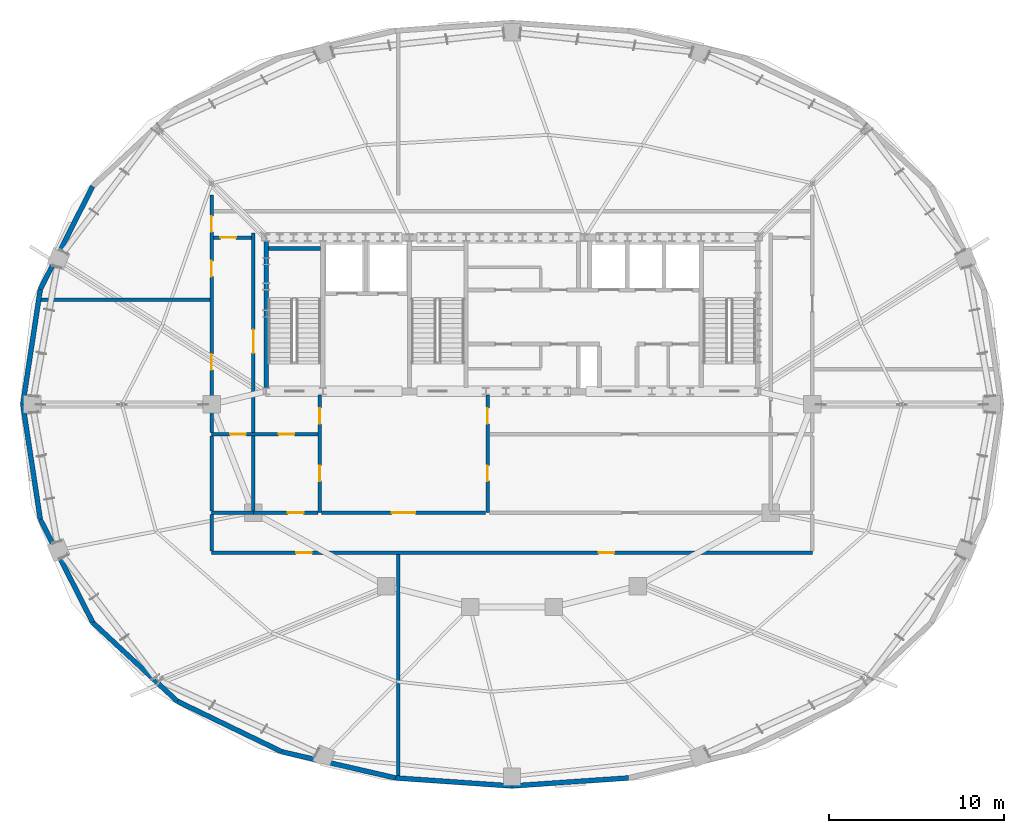
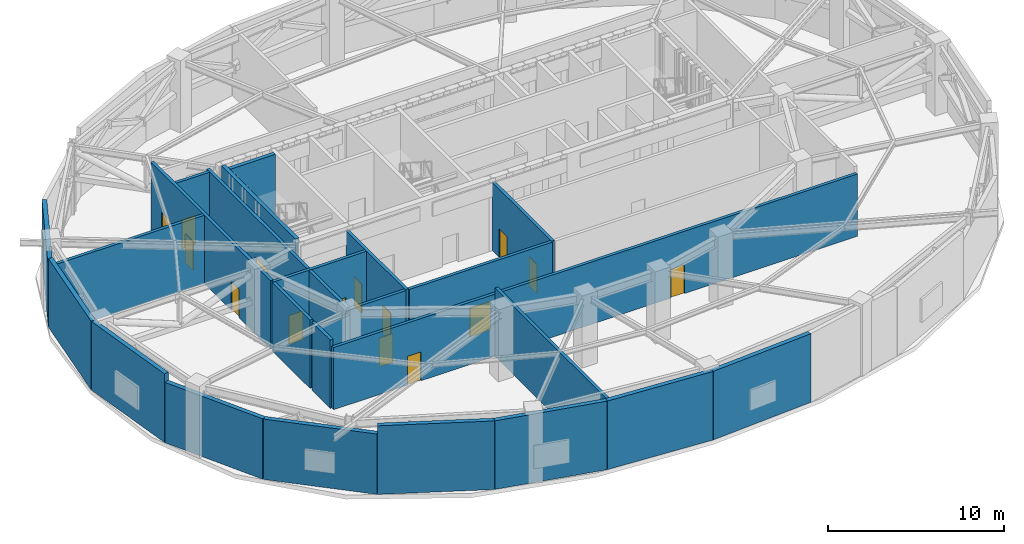
# One storey, part 14 of 20: 26 walls, 15 doors, 15 openings.
"""IFC4 building model written with IfcOpenShell, lengths in metres."""

import ifcopenshell
import ifcopenshell.guid

model = None  # the IFC model being written
_history = None  # IfcOwnerHistory: only IFC2X3 demands one
_inside = {}  # id of a spatial element -> (the spatial element, [elements in it])
_under = {}  # id of a project, library or spatial element -> (it, [spatial elements below it])
_declared = {}  # id of a project -> (the project, [libraries it declares])
_typed = {}  # id of a type object -> (the type object, [elements of that type])
_made_of = {}  # id of a material, layer set ... -> (it, [elements and type objects made of it])


def new_model(schema):
    """Start an empty IFC model of exactly this schema.

    Asked for "IFC4X3", IfcOpenShell would pick the latest addendum, in which some entities
    have other attributes; the version numbers below select the first issue.
    IFC2X3 requires an IfcOwnerHistory on every rooted entity: one is made here for all.
    """
    global model, _history
    if schema == "IFC4X3":
        model = ifcopenshell.file(schema_version=(4, 3, 0, 0))
    else:
        model = ifcopenshell.file(schema=schema)
    _inside.clear()
    _under.clear()
    _declared.clear()
    _typed.clear()
    _made_of.clear()
    _history = None
    if model.schema == "IFC2X3":
        org = make("IfcOrganization", Name="unknown")
        user = make(
            "IfcPersonAndOrganization",
            ThePerson=make("IfcPerson", FamilyName="unknown"),
            TheOrganization=org,
        )
        app = make(
            "IfcApplication",
            ApplicationDeveloper=org,
            Version="unknown",
            ApplicationFullName="unknown",
            ApplicationIdentifier="unknown",
        )
        _history = make(
            "IfcOwnerHistory",
            OwningUser=user,
            OwningApplication=app,
            ChangeAction="ADDED",
            CreationDate=0,
        )
    return model


def make(cls, **values):
    """One entity of the class cls with the attributes given. An attribute that is None is left unset."""
    return model.create_entity(
        cls, **{name: value for name, value in values.items() if value is not None}
    )


def rooted(cls, **values):
    """An entity with a GlobalId (a new one), such as an element, a storey or a relation."""
    return make(cls, GlobalId=ifcopenshell.guid.new(), OwnerHistory=_history, **values)


def si_unit(unit_type, name, prefix=None):
    """IfcSIUnit, for example si_unit("LENGTHUNIT", "METRE", prefix="MILLI")."""
    return make("IfcSIUnit", UnitType=unit_type, Prefix=prefix, Name=name)


def assignment(units):
    """IfcUnitAssignment: the units of a project."""
    return None if units is None else make("IfcUnitAssignment", Units=units)


def point(xyz):
    """IfcCartesianPoint."""
    return None if xyz is None else make("IfcCartesianPoint", Coordinates=xyz)


def direction(xyz):
    """IfcDirection."""
    return None if xyz is None else make("IfcDirection", DirectionRatios=xyz)


def frame(location, z_axis=None, x_axis=None):
    """IfcAxis2Placement3D, a coordinate frame: its origin and axes. An axis left out is left unset."""
    return make(
        "IfcAxis2Placement3D",
        Location=point(location),
        Axis=direction(z_axis),
        RefDirection=direction(x_axis),
    )


def frame_2d(location, x_axis=None):
    """IfcAxis2Placement2D, a coordinate frame in the plane: its origin and x axis."""
    return make(
        "IfcAxis2Placement2D", Location=point(location), RefDirection=direction(x_axis)
    )


def origin():
    """The frame at (0, 0, 0) with its axes left unset."""
    return frame((0.0, 0.0, 0.0))


def place(relative_to, where):
    """IfcLocalPlacement: puts the frame where relative to a parent placement (None: the world)."""
    return make(
        "IfcLocalPlacement", PlacementRelTo=relative_to, RelativePlacement=where
    )


def context(
    kind, dimensions, precision=None, world=None, true_north=None, identifier=None
):
    """IfcGeometricRepresentationContext, for example the 3D "Model" context."""
    return make(
        "IfcGeometricRepresentationContext",
        ContextIdentifier=identifier,
        ContextType=kind,
        CoordinateSpaceDimension=dimensions,
        Precision=precision,
        WorldCoordinateSystem=world,
        TrueNorth=true_north,
    )


def subcontext(parent, identifier, kind, view, scale=None):
    """IfcGeometricRepresentationSubContext, for example "Body" below "Model"."""
    return make(
        "IfcGeometricRepresentationSubContext",
        ContextIdentifier=identifier,
        ContextType=kind,
        ParentContext=parent,
        TargetScale=scale,
        TargetView=view,
    )


def project(units=None, contexts=None):
    """IfcProject with its units and contexts."""
    return rooted(
        "IfcProject",
        Name="project",
        RepresentationContexts=contexts,
        UnitsInContext=assignment(units),
    )


def spatial(cls, under=None, at=None, **own):
    """A site, building, storey or space (cls), placed at a placement, below another one or the project."""
    s = rooted(cls, ObjectPlacement=at, **own)
    if under is not None:
        _under.setdefault(under.id(), (under, []))[1].append(s)
    return s


def profile(cls, at=None, kind="AREA", **sizes):
    """A parametric profile (cls). Its sizes go by their IFC names, for example OverallWidth=200.0."""
    return make(cls, ProfileType=kind, Position=at, **sizes)


def rectangle(**sizes):
    """IfcRectangleProfileDef."""
    return profile("IfcRectangleProfileDef", **sizes)


def extrude(swept, where, along, depth):
    """IfcExtrudedAreaSolid: the profile swept, set in the frame where, extruded along a direction by depth."""
    return make(
        "IfcExtrudedAreaSolid",
        SweptArea=swept,
        Position=where,
        ExtrudedDirection=direction(along),
        Depth=depth,
    )


def shape(context_of_items, identifier, shape_type, items):
    """IfcShapeRepresentation: the items that make up one representation, for example the "Body"."""
    return make(
        "IfcShapeRepresentation",
        ContextOfItems=context_of_items,
        RepresentationIdentifier=identifier,
        RepresentationType=shape_type,
        Items=items,
    )


def material(Name=None, Category=None):
    """IfcMaterial."""
    return make("IfcMaterial", Name=Name, Category=Category)


def layer(
    of_material, thickness, ventilated=None, Name=None, Category=None, Priority=None
):
    """IfcMaterialLayer: one layer of a wall or slab, of a material (None: an air gap)."""
    return make(
        "IfcMaterialLayer",
        Material=of_material,
        LayerThickness=thickness,
        IsVentilated=ventilated,
        Name=Name,
        Category=Category,
        Priority=Priority,
    )


def layer_set(layers, Name=None):
    """IfcMaterialLayerSet."""
    return make("IfcMaterialLayerSet", MaterialLayers=layers, LayerSetName=Name)


def made_of(thing, what):
    """Note that an element or type object is made of a material, layer set ...; save() writes the relation."""
    if what is not None:
        _made_of.setdefault(what.id(), (what, []))[1].append(thing)
    return thing


def type_object(cls, material=None, **own):
    """A type object (cls), such as IfcWallType, which elements share."""
    return made_of(rooted(cls, **own), material)


def element(
    cls,
    number,
    at=None,
    inside=None,
    cuts=None,
    type_object=None,
    material=None,
    context=None,
    identifier="Body",
    shape_type=None,
    held_by="IfcProductDefinitionShape",
    body=None,
    shapes=None,
    **own,
):
    """One element of the class cls, such as IfcWall. Its Tag is "e" and its number.

    at: its placement. inside: the storey or other place that contains it. cuts: it is an
    opening in that element (IfcRelVoidsElement). A single representation is given by context,
    identifier, shape_type and body (its items); several are given by shapes. held_by: the class
    of the entity that holds the representations. save() writes the other relations.
    """
    e = rooted(cls, Tag="e%d" % number, ObjectPlacement=at, **own)
    if body is not None:
        shapes = [shape(context, identifier, shape_type, body)]
    if shapes is not None:
        e.Representation = make(held_by, Representations=shapes)
    if inside is not None:
        _inside.setdefault(inside.id(), (inside, []))[1].append(e)
    if cuts is not None:
        rooted(
            "IfcRelVoidsElement", RelatingBuildingElement=cuts, RelatedOpeningElement=e
        )
    if type_object is not None:
        _typed.setdefault(type_object.id(), (type_object, []))[1].append(e)
    return made_of(e, material)


def fill(opening, filler):
    """IfcRelFillsElement: the door or window that sits in an opening."""
    return rooted(
        "IfcRelFillsElement",
        RelatingOpeningElement=opening,
        RelatedBuildingElement=filler,
    )


def aggregate(whole, parts):
    """IfcRelAggregates: a whole, such as a stair, and the parts it consists of."""
    return rooted("IfcRelAggregates", RelatingObject=whole, RelatedObjects=parts)


def save(model, path):
    """Write the relations noted so far, then the file.

    IfcRelAggregates (storeys below a building ...), IfcRelContainedInSpatialStructure (elements
    in a storey), IfcRelDefinesByType, IfcRelAssociatesMaterial and IfcRelDeclares: one each for
    every whole, place, type object, material and project.
    """
    for whole, parts in _under.values():
        aggregate(whole, parts)
    for where, things in _inside.values():
        rooted(
            "IfcRelContainedInSpatialStructure",
            RelatedElements=things,
            RelatingStructure=where,
        )
    for kind, things in _typed.values():
        rooted("IfcRelDefinesByType", RelatedObjects=things, RelatingType=kind)
    for what, things in _made_of.values():
        rooted("IfcRelAssociatesMaterial", RelatedObjects=things, RelatingMaterial=what)
    for by, libraries in _declared.values():
        rooted("IfcRelDeclares", RelatingContext=by, RelatedDefinitions=libraries)
    model.write(path)


model = new_model("IFC4")

# Units and contexts
model_context = context("Model", 3, precision=1e-05, world=origin(), true_north=direction((0.0, 1.0)))
body_context = subcontext(model_context, "Body", "Model", "MODEL_VIEW")
ifc_project = project(units=[si_unit("LENGTHUNIT", "METRE"), si_unit("AREAUNIT", "SQUARE_METRE"), si_unit("VOLUMEUNIT", "CUBIC_METRE"), si_unit("PLANEANGLEUNIT", "RADIAN"), si_unit("MASSUNIT", "GRAM", prefix="KILO")], contexts=[model_context])

# Site, building, storey
site_placement = place(None, origin())
site = spatial("IfcSite", under=ifc_project, at=site_placement, CompositionType="ELEMENT")
building_placement = place(site_placement, origin())
building = spatial("IfcBuilding", under=site, at=building_placement, Name="Haldorwick Loom Tower", CompositionType="ELEMENT")
storey_placement = place(building_placement, frame((0.0, 0.0, 222.10009765625)))
storey = spatial("IfcBuildingStorey", under=building, at=storey_placement, Name="L60", CompositionType="ELEMENT", Elevation=222.10009765625)

# Walls
ifc_material_1 = material(Name="Pressed Clay Face Brick and Insulated Masonry Backup Assembly", Category="masonry")
ifc_layer_1 = layer(ifc_material_1, 0.280029296875, Name="Pressed Clay Face Brick and Insulated Masonry Backup Assembly", Category="masonry")
ifc_layer_set_1 = layer_set([ifc_layer_1], Name="Pressed Clay Face Brick and Insulated Masonry Backup Assembly")
wall_type_1 = type_object("IfcWallType", Name="ARC-WL-EXT280", PredefinedType="STANDARD", material=ifc_layer_set_1)
wall_1_placement = place(storey_placement, frame((11.994384765625, 38.4853515625, 0.0), z_axis=(0.0, 0.0, 1.0), x_axis=(-0.453032066879, -0.89149422117, 0.0)))
element("IfcWall", 1, at=wall_1_placement, inside=storey, type_object=wall_type_1, Name="L60 Brick Pier and Spandrel Wall 11", PredefinedType="STANDARD", context=body_context, shape_type="SweptSolid", body=[
    extrude(rectangle(XDim=6.618896484375, YDim=0.280029296875, at=frame_2d((3.3095703125, 0.0))), origin(), (0.0, 0.0, 1.0), 4.19091796875),
])
for number, where, z_axis, x_axis, name in (
    (2, (8.995849609375, 32.584716796875, 0.0), (0.0, 0.0, 1.0), (-0.150467697578, -0.988614926038, 0.0), "L60 Brick Pier and Spandrel Wall 12"),
    (3, (7.99365234375, 26.0, 0.0), (0.0, 0.0, 1.0), (0.150467697578, -0.988614926038, 0.0), "L60 Brick Pier and Spandrel Wall 13"),
):
    element("IfcWall", number, at=place(storey_placement, frame(where, z_axis=z_axis, x_axis=x_axis)), inside=storey, type_object=wall_type_1, Name=name, PredefinedType="STANDARD", context=body_context, shape_type="SweptSolid", body=[
        extrude(rectangle(XDim=6.66064453125, YDim=0.280029296875, at=frame_2d((3.330322265625, 0.0))), origin(), (0.0, 0.0, 1.0), 4.760009765625),
    ])
wall_2_placement = place(storey_placement, frame((8.995849609375, 19.415283203125, 0.0), z_axis=(0.0, 0.0, 1.0), x_axis=(0.453032066879, -0.89149422117, 0.0)))
element("IfcWall", 4, at=wall_2_placement, inside=storey, type_object=wall_type_1, Name="L60 Brick Pier and Spandrel Wall 14", PredefinedType="STANDARD", context=body_context, shape_type="SweptSolid", body=[
    extrude(rectangle(XDim=6.618896484375, YDim=0.280029296875, at=frame_2d((3.3095703125, 0.0))), origin(), (0.0, 0.0, 1.0), 4.19091796875),
])
wall_3_placement = place(storey_placement, frame((11.994384765625, 13.5146484375, 0.0), z_axis=(0.0, 0.0, 1.0), x_axis=(0.731833707499, -0.681483253329, 0.0)))
element("IfcWall", 5, at=wall_3_placement, inside=storey, type_object=wall_type_1, Name="L60 Brick Pier and Spandrel Wall 15", PredefinedType="STANDARD", context=body_context, shape_type="SweptSolid", body=[
    extrude(rectangle(XDim=6.61865234375, YDim=0.280029296875, at=frame_2d((3.309326171875, 0.0))), origin(), (0.0, 0.0, 1.0), 4.19091796875),
])
wall_4_placement = place(storey_placement, frame((16.838134765625, 9.004150390625, 0.0), z_axis=(0.0, 0.0, 1.0), x_axis=(0.900371236029, -0.435122554381, 0.0)))
element("IfcWall", 6, at=wall_4_placement, inside=storey, type_object=wall_type_1, Name="L60 Brick Pier and Spandrel Wall 16", PredefinedType="STANDARD", context=body_context, shape_type="SweptSolid", body=[
    extrude(rectangle(XDim=6.6533203125, YDim=0.280029296875, at=frame_2d((3.32666015625, 0.0))), origin(), (0.0, 0.0, 1.0), 4.760009765625),
])
wall_5_placement = place(storey_placement, frame((22.82861328125, 6.109130859375, 0.0), z_axis=(0.0, 0.0, 1.0), x_axis=(0.974557343474, -0.224138315065, 0.0)))
element("IfcWall", 7, at=wall_5_placement, inside=storey, type_object=wall_type_1, Name="L60 Brick Pier and Spandrel Wall 17", PredefinedType="STANDARD", context=body_context, shape_type="SweptSolid", body=[
    extrude(rectangle(XDim=6.676025390625, YDim=0.280029296875, at=frame_2d((3.337890625, 0.0))), origin(), (0.0, 0.0, 1.0), 4.760009765625),
])
for number, where, z_axis, x_axis, name in (
    (8, (29.334716796875, 4.61279296875, 0.0), (0.0, 0.0, 1.0), (0.99764992135, -0.068517402386, 0.0), "L60 Brick Pier and Spandrel Wall 18"),
    (9, (36.0, 4.155029296875, 0.0), (0.0, 0.0, 1.0), (0.99764992135, 0.068517402386, 0.0), "L60 Brick Pier and Spandrel Wall 19"),
):
    element("IfcWall", number, at=place(storey_placement, frame(where, z_axis=z_axis, x_axis=x_axis)), inside=storey, type_object=wall_type_1, Name=name, PredefinedType="STANDARD", context=body_context, shape_type="SweptSolid", body=[
        extrude(rectangle(XDim=6.680908203125, YDim=0.280029296875, at=frame_2d((3.34033203125, 0.0))), origin(), (0.0, 0.0, 1.0), 4.760009765625),
    ])

# Wall, openings, doors
ifc_material_2 = material(Name="Fire-Rated Type X Gypsum Stud Assembly EI 120")
ifc_layer_2 = layer(ifc_material_2, 0.199951171875, Name="Fire-Rated Type X Gypsum Stud Assembly EI 120")
ifc_layer_set_2 = layer_set([ifc_layer_2], Name="Fire-Rated Type X Gypsum Stud Assembly EI 120")
wall_type_2 = type_object("IfcWallType", Name="ARC-WL-FIRE200", PredefinedType="PARTITIONING", material=ifc_layer_set_2)
wall_6_placement = place(storey_placement, frame((25.0, 19.800048828125, 0.0), z_axis=(0.0, 0.0, 1.0), x_axis=(0.0, 1.0, 0.0)))
wall_6 = element("IfcWall", 10, at=wall_6_placement, inside=storey, type_object=wall_type_2, Name="L60 Interior Partition L60-REF-W", PredefinedType="PARTITIONING", context=body_context, shape_type="SweptSolid", body=[
    extrude(rectangle(XDim=6.7470703125, YDim=0.199951171875, at=frame_2d((3.37353515625, 0.0))), origin(), (0.0, 0.0, 1.0), 4.744873046875),
])
opening_1_placement = place(wall_6_placement, frame((5.085205078125, 0.0, 0.0)))
opening_1 = element("IfcOpeningElement", 11, at=opening_1_placement, cuts=wall_6, Name="Opening D-FD60A", PredefinedType="OPENING", context=body_context, shape_type="SweptSolid", body=[
    extrude(rectangle(XDim=0.89990234375, YDim=2.0, at=frame_2d((0.449951171875, 1.0))), frame((0.0, 0.10986328125, 0.0), z_axis=(0.0, -1.0, 0.0), x_axis=(1.0, 0.0, 0.0)), (0.0, 0.0, 1.0), 0.219970703125),
])
opening_2_placement = place(wall_6_placement, frame((1.799072265625, 0.0, 0.0)))
opening_2 = element("IfcOpeningElement", 12, at=opening_2_placement, cuts=wall_6, Name="Opening D-FD60A", PredefinedType="OPENING", context=body_context, shape_type="SweptSolid", body=[
    extrude(rectangle(XDim=0.89990234375, YDim=2.0, at=frame_2d((0.449951171875, 1.0))), frame((0.0, 0.10986328125, 0.0), z_axis=(0.0, -1.0, 0.0), x_axis=(1.0, 0.0, 0.0)), (0.0, 0.0, 1.0), 0.219970703125),
])
ifc_material_3 = material(Name="Hollow Steel Fire Door Assembly", Category="steel")
door_type_1 = type_object("IfcDoorType", Name="ARC-DR-FD60-90", OperationType="NOTDEFINED", PredefinedType="DOOR", material=ifc_material_3)
door_1_placement = place(opening_1_placement, origin())
door_1 = element("IfcDoor", 13, at=door_1_placement, inside=storey, type_object=door_type_1, Name="L60 West Refuge Vestibule to Area of Refuge Door", OperationType="SINGLE_SWING_RIGHT", OverallHeight=2.0, OverallWidth=0.89990234375, PredefinedType="DOOR", context=body_context, shape_type="SweptSolid", body=[
    extrude(rectangle(XDim=0.89990234375, YDim=2.0, at=frame_2d((0.449951171875, 1.0))), frame((0.0, 0.02490234375, 0.0), z_axis=(0.0, -1.0, 0.0), x_axis=(1.0, 0.0, 0.0)), (0.0, 0.0, 1.0), 0.050048828125),
])
fill(opening_1, door_1)
door_2_placement = place(opening_2_placement, frame((0.89990234375, 0.0, 0.0), z_axis=(0.0, 0.0, 1.0), x_axis=(-1.0, 0.0, 0.0)))
door_2 = element("IfcDoor", 14, at=door_2_placement, inside=storey, type_object=door_type_1, Name="L60 Mechanical Equipment Plant 5 to Area of Refuge Door", OperationType="SINGLE_SWING_RIGHT", OverallHeight=2.0, OverallWidth=0.89990234375, PredefinedType="DOOR", context=body_context, shape_type="SweptSolid", body=[
    extrude(rectangle(XDim=0.89990234375, YDim=2.0, at=frame_2d((0.449951171875, 1.0))), frame((0.0, 0.02490234375, 0.0), z_axis=(0.0, -1.0, 0.0), x_axis=(1.0, 0.0, 0.0)), (0.0, 0.0, 1.0), 0.050048828125),
])
fill(opening_2, door_2)

wall_7_placement = place(storey_placement, frame((34.60009765625, 19.800048828125, 0.0), z_axis=(0.0, 0.0, 1.0), x_axis=(0.0, 1.0, 0.0)))
wall_7 = element("IfcWall", 15, at=wall_7_placement, inside=storey, type_object=wall_type_2, Name="L60 Interior Partition L60-REF-E", PredefinedType="PARTITIONING", context=body_context, shape_type="SweptSolid", body=[
    extrude(rectangle(XDim=6.7470703125, YDim=0.199951171875, at=frame_2d((3.37353515625, 0.0))), origin(), (0.0, 0.0, 1.0), 4.744873046875),
])
opening_3_placement = place(wall_7_placement, frame((5.085205078125, 0.0, 0.0)))
opening_3 = element("IfcOpeningElement", 16, at=opening_3_placement, cuts=wall_7, Name="Opening D-FD60A", PredefinedType="OPENING", context=body_context, shape_type="SweptSolid", body=[
    extrude(rectangle(XDim=0.89990234375, YDim=2.0, at=frame_2d((0.449951171875, 1.0))), frame((0.0, 0.10986328125, 0.0), z_axis=(0.0, -1.0, 0.0), x_axis=(1.0, 0.0, 0.0)), (0.0, 0.0, 1.0), 0.219970703125),
])
opening_4_placement = place(wall_7_placement, frame((1.799072265625, 0.0, 0.0)))
opening_4 = element("IfcOpeningElement", 17, at=opening_4_placement, cuts=wall_7, Name="Opening D-FD60A", PredefinedType="OPENING", context=body_context, shape_type="SweptSolid", body=[
    extrude(rectangle(XDim=0.89990234375, YDim=2.0, at=frame_2d((0.449951171875, 1.0))), frame((0.0, 0.10986328125, 0.0), z_axis=(0.0, -1.0, 0.0), x_axis=(1.0, 0.0, 0.0)), (0.0, 0.0, 1.0), 0.219970703125),
])
door_3_placement = place(opening_3_placement, origin())
door_3 = element("IfcDoor", 18, at=door_3_placement, inside=storey, type_object=door_type_1, Name="L60 Area of Refuge to East Plant Exit Corridor Door", OperationType="SINGLE_SWING_LEFT", OverallHeight=2.0, OverallWidth=0.89990234375, PredefinedType="DOOR", context=body_context, shape_type="SweptSolid", body=[
    extrude(rectangle(XDim=0.89990234375, YDim=2.0, at=frame_2d((0.449951171875, 1.0))), frame((0.0, 0.02490234375, 0.0), z_axis=(0.0, -1.0, 0.0), x_axis=(1.0, 0.0, 0.0)), (0.0, 0.0, 1.0), 0.050048828125),
])
fill(opening_3, door_3)
door_4_placement = place(opening_4_placement, origin())
door_4 = element("IfcDoor", 19, at=door_4_placement, inside=storey, type_object=door_type_1, Name="L60 Area of Refuge to Electrical Transformer Room 6 Door", OperationType="SINGLE_SWING_LEFT", OverallHeight=2.0, OverallWidth=0.89990234375, PredefinedType="DOOR", context=body_context, shape_type="SweptSolid", body=[
    extrude(rectangle(XDim=0.89990234375, YDim=2.0, at=frame_2d((0.449951171875, 1.0))), frame((0.0, 0.02490234375, 0.0), z_axis=(0.0, -1.0, 0.0), x_axis=(1.0, 0.0, 0.0)), (0.0, 0.0, 1.0), 0.050048828125),
])
fill(opening_4, door_4)

# Wall, opening, door
wall_8_placement = place(storey_placement, frame((25.10302734375, 19.800048828125, 0.0), z_axis=(0.0, 0.0, 1.0), x_axis=(1.0, 0.0, 0.0)))
wall_8 = element("IfcWall", 20, at=wall_8_placement, inside=storey, type_object=wall_type_2, Name="L60 Interior Partition L60-REF-S", PredefinedType="PARTITIONING", context=body_context, shape_type="SweptSolid", body=[
    extrude(rectangle(XDim=9.39404296875, YDim=0.199951171875, at=frame_2d((4.697021484375, 0.0))), origin(), (0.0, 0.0, 1.0), 4.744873046875),
])
opening_5_placement = place(wall_8_placement, frame((4.02197265625, 0.0, 0.0)))
opening_5 = element("IfcOpeningElement", 21, at=opening_5_placement, cuts=wall_8, Name="Opening D-CR15", PredefinedType="OPENING", context=body_context, shape_type="SweptSolid", body=[
    extrude(rectangle(XDim=1.35009765625, YDim=2.0, at=frame_2d((0.675048828125, 1.0))), frame((0.0, 0.10986328125, 0.0), z_axis=(0.0, -1.0, 0.0), x_axis=(1.0, 0.0, 0.0)), (0.0, 0.0, 1.0), 0.219970703125),
])
ifc_material_4 = material(Name="Thermally Broken Anodized Aluminium and Tempered Glass", Category="aluminium")
door_type_2 = type_object("IfcDoorType", Name="ARC-DR-COR150", OperationType="NOTDEFINED", PredefinedType="DOOR", material=ifc_material_4)
door_5_placement = place(opening_5_placement, origin())
door_5 = element("IfcDoor", 22, at=door_5_placement, inside=storey, type_object=door_type_2, Name="L60 Area of Refuge to South Plant Service Corridor Door", OperationType="DOUBLE_DOOR_SINGLE_SWING", OverallHeight=2.0, OverallWidth=1.35009765625, PredefinedType="DOOR", context=body_context, shape_type="SweptSolid", body=[
    extrude(rectangle(XDim=1.35009765625, YDim=2.0, at=frame_2d((0.675048828125, 1.0))), frame((0.0, 0.02490234375, 0.0), z_axis=(0.0, -1.0, 0.0), x_axis=(1.0, 0.0, 0.0)), (0.0, 0.0, 1.0), 0.050048828125),
])
fill(opening_5, door_5)

# Wall, openings, doors
wall_9_placement = place(storey_placement, frame((18.800048828125, 17.5, 0.0), z_axis=(0.0, 0.0, 1.0), x_axis=(1.0, 0.0, 0.0)))
wall_9 = element("IfcWall", 23, at=wall_9_placement, inside=storey, type_object=wall_type_2, Name="L60 Interior Partition L60-PC-S1", PredefinedType="PARTITIONING", context=body_context, shape_type="SweptSolid", body=[
    extrude(rectangle(XDim=34.39990234375, YDim=0.199951171875, at=frame_2d((17.199951171875, 0.0))), origin(), (0.0, 0.0, 1.0), 4.322021484375),
])
opening_6_placement = place(wall_9_placement, frame((22.152587890625, 0.0, 0.0)))
opening_6 = element("IfcOpeningElement", 24, at=opening_6_placement, cuts=wall_9, Name="Opening D-FD60A", PredefinedType="OPENING", context=body_context, shape_type="SweptSolid", body=[
    extrude(rectangle(XDim=0.89990234375, YDim=2.0, at=frame_2d((0.449951171875, 1.0))), frame((0.0, 0.10986328125, 0.0), z_axis=(0.0, -1.0, 0.0), x_axis=(1.0, 0.0, 0.0)), (0.0, 0.0, 1.0), 0.219970703125),
])
opening_7_placement = place(wall_9_placement, frame((4.84228515625, 0.0, 0.0)))
opening_7 = element("IfcOpeningElement", 25, at=opening_7_placement, cuts=wall_9, Name="Opening D-FD60A", PredefinedType="OPENING", context=body_context, shape_type="SweptSolid", body=[
    extrude(rectangle(XDim=0.89990234375, YDim=2.0, at=frame_2d((0.449951171875, 1.0))), frame((0.0, 0.10986328125, 0.0), z_axis=(0.0, -1.0, 0.0), x_axis=(1.0, 0.0, 0.0)), (0.0, 0.0, 1.0), 0.219970703125),
])
door_6_placement = place(opening_6_placement, origin())
door_6 = element("IfcDoor", 26, at=door_6_placement, inside=storey, type_object=door_type_1, Name="L60 South Plant Service Corridor to Air Handling Ventilation Plant Door", OperationType="SINGLE_SWING_RIGHT", OverallHeight=2.0, OverallWidth=0.89990234375, PredefinedType="DOOR", context=body_context, shape_type="SweptSolid", body=[
    extrude(rectangle(XDim=0.89990234375, YDim=2.0, at=frame_2d((0.449951171875, 1.0))), frame((0.0, 0.02490234375, 0.0), z_axis=(0.0, -1.0, 0.0), x_axis=(1.0, 0.0, 0.0)), (0.0, 0.0, 1.0), 0.050048828125),
])
fill(opening_6, door_6)
door_7_placement = place(opening_7_placement, origin())
door_7 = element("IfcDoor", 27, at=door_7_placement, inside=storey, type_object=door_type_1, Name="L60 South Plant Service Corridor to Domestic Water Booster and Fire Pump", OperationType="SINGLE_SWING_LEFT", OverallHeight=2.0, OverallWidth=0.89990234375, PredefinedType="DOOR", context=body_context, shape_type="SweptSolid", body=[
    extrude(rectangle(XDim=0.89990234375, YDim=2.0, at=frame_2d((0.449951171875, 1.0))), frame((0.0, 0.02490234375, 0.0), z_axis=(0.0, -1.0, 0.0), x_axis=(1.0, 0.0, 0.0)), (0.0, 0.0, 1.0), 0.050048828125),
])
fill(opening_7, door_7)

wall_10_placement = place(storey_placement, frame((18.800048828125, 24.300048828125, 0.0), z_axis=(0.0, 0.0, 1.0), x_axis=(1.0, 0.0, 0.0)))
wall_10 = element("IfcWall", 28, at=wall_10_placement, inside=storey, type_object=wall_type_2, Name="L60 Interior Partition L60-PC-S3", PredefinedType="PARTITIONING", context=body_context, shape_type="SweptSolid", body=[
    extrude(rectangle(XDim=6.096923828125, YDim=0.199951171875, at=frame_2d((3.04833984375, 0.0))), origin(), (0.0, 0.0, 1.0), 4.744873046875),
])
opening_8_placement = place(wall_10_placement, frame((3.840576171875, 0.0, 0.0)))
opening_8 = element("IfcOpeningElement", 29, at=opening_8_placement, cuts=wall_10, Name="Opening D-FD60A", PredefinedType="OPENING", context=body_context, shape_type="SweptSolid", body=[
    extrude(rectangle(XDim=0.89990234375, YDim=2.0, at=frame_2d((0.449951171875, 1.0))), frame((0.0, 0.10986328125, 0.0), z_axis=(0.0, -1.0, 0.0), x_axis=(1.0, 0.0, 0.0)), (0.0, 0.0, 1.0), 0.219970703125),
])
opening_9_placement = place(wall_10_placement, frame((1.058837890625, 0.0, 0.0)))
opening_9 = element("IfcOpeningElement", 30, at=opening_9_placement, cuts=wall_10, Name="Opening D-FD60A", PredefinedType="OPENING", context=body_context, shape_type="SweptSolid", body=[
    extrude(rectangle(XDim=0.89990234375, YDim=2.0, at=frame_2d((0.449951171875, 1.0))), frame((0.0, 0.10986328125, 0.0), z_axis=(0.0, -1.0, 0.0), x_axis=(1.0, 0.0, 0.0)), (0.0, 0.0, 1.0), 0.219970703125),
])
door_8_placement = place(opening_8_placement, origin())
door_8 = element("IfcDoor", 31, at=door_8_placement, inside=storey, type_object=door_type_1, Name="L60 West Refuge Vestibule to Mechanical Equipment Plant 5 Door", OperationType="SINGLE_SWING_LEFT", OverallHeight=2.0, OverallWidth=0.89990234375, PredefinedType="DOOR", context=body_context, shape_type="SweptSolid", body=[
    extrude(rectangle(XDim=0.89990234375, YDim=2.0, at=frame_2d((0.449951171875, 1.0))), frame((0.0, 0.02490234375, 0.0), z_axis=(0.0, -1.0, 0.0), x_axis=(1.0, 0.0, 0.0)), (0.0, 0.0, 1.0), 0.050048828125),
])
fill(opening_8, door_8)
door_9_placement = place(opening_9_placement, origin())
door_9 = element("IfcDoor", 32, at=door_9_placement, inside=storey, type_object=door_type_1, Name="L60 West Mechanical Corridor to Ventilation Fan Room 4 Door", OperationType="SINGLE_SWING_LEFT", OverallHeight=2.0, OverallWidth=0.89990234375, PredefinedType="DOOR", context=body_context, shape_type="SweptSolid", body=[
    extrude(rectangle(XDim=0.89990234375, YDim=2.0, at=frame_2d((0.449951171875, 1.0))), frame((0.0, 0.02490234375, 0.0), z_axis=(0.0, -1.0, 0.0), x_axis=(1.0, 0.0, 0.0)), (0.0, 0.0, 1.0), 0.050048828125),
])
fill(opening_9, door_9)

# Wall
wall_11_placement = place(storey_placement, frame((18.800048828125, 19.800048828125, 0.0), z_axis=(0.0, 0.0, 1.0), x_axis=(1.0, 0.0, 0.0)))
element("IfcWall", 33, at=wall_11_placement, inside=storey, type_object=wall_type_2, Name="L60 Interior Partition L60-PC-S4W", PredefinedType="PARTITIONING", context=body_context, shape_type="SweptSolid", body=[
    extrude(rectangle(XDim=2.39990234375, YDim=0.199951171875, at=frame_2d((1.199951171875, 0.0))), origin(), (0.0, 0.0, 1.0), 4.322021484375),
])

# Wall, opening, door
wall_12_placement = place(storey_placement, frame((21.199951171875, 19.800048828125, 0.0), z_axis=(0.0, 0.0, 1.0), x_axis=(1.0, 0.0, 0.0)))
wall_12 = element("IfcWall", 34, at=wall_12_placement, inside=storey, type_object=wall_type_2, Name="L60 Interior Partition L60-PC-S5", PredefinedType="PARTITIONING", context=body_context, shape_type="SweptSolid", body=[
    extrude(rectangle(XDim=3.697021484375, YDim=0.199951171875, at=frame_2d((1.8486328125, 0.0))), origin(), (0.0, 0.0, 1.0), 4.744873046875),
])
opening_10_placement = place(wall_12_placement, frame((1.97314453125, 0.0, 0.0)))
opening_10 = element("IfcOpeningElement", 35, at=opening_10_placement, cuts=wall_12, Name="Opening D-FD60A", PredefinedType="OPENING", context=body_context, shape_type="SweptSolid", body=[
    extrude(rectangle(XDim=0.89990234375, YDim=2.0, at=frame_2d((0.449951171875, 1.0))), frame((0.0, 0.10986328125, 0.0), z_axis=(0.0, -1.0, 0.0), x_axis=(1.0, 0.0, 0.0)), (0.0, 0.0, 1.0), 0.219970703125),
])
door_10_placement = place(opening_10_placement, frame((0.89990234375, 0.0, 0.0), z_axis=(0.0, 0.0, 1.0), x_axis=(-1.0, 0.0, 0.0)))
door_10 = element("IfcDoor", 36, at=door_10_placement, inside=storey, type_object=door_type_1, Name="L60 Mechanical Equipment Plant 5 to South Plant Service Corridor Door", OperationType="SINGLE_SWING_RIGHT", OverallHeight=2.0, OverallWidth=0.89990234375, PredefinedType="DOOR", context=body_context, shape_type="SweptSolid", body=[
    extrude(rectangle(XDim=0.89990234375, YDim=2.0, at=frame_2d((0.449951171875, 1.0))), frame((0.0, 0.02490234375, 0.0), z_axis=(0.0, -1.0, 0.0), x_axis=(1.0, 0.0, 0.0)), (0.0, 0.0, 1.0), 0.050048828125),
])
fill(opening_10, door_10)

# Walls
wall_13_placement = place(storey_placement, frame((18.800048828125, 17.60302734375, 0.0), z_axis=(0.0, 0.0, 1.0), x_axis=(0.0, 1.0, 0.0)))
element("IfcWall", 37, at=wall_13_placement, inside=storey, type_object=wall_type_2, Name="L60 Interior Partition L60-PC-W1", PredefinedType="PARTITIONING", context=body_context, shape_type="SweptSolid", body=[
    extrude(rectangle(XDim=2.093994140625, YDim=0.199951171875, at=frame_2d((1.046875, 0.0))), origin(), (0.0, 0.0, 1.0), 4.744873046875),
])
wall_14_placement = place(storey_placement, frame((18.800048828125, 19.903076171875, 0.0), z_axis=(0.0, 0.0, 1.0), x_axis=(0.0, 1.0, 0.0)))
element("IfcWall", 38, at=wall_14_placement, inside=storey, type_object=wall_type_2, Name="L60 Interior Partition L60-PC-W1", PredefinedType="PARTITIONING", context=body_context, shape_type="SweptSolid", body=[
    extrude(rectangle(XDim=4.2939453125, YDim=0.199951171875, at=frame_2d((2.14697265625, 0.0))), origin(), (0.0, 0.0, 1.0), 4.744873046875),
])

# Wall, openings, doors
wall_15_placement = place(storey_placement, frame((18.800048828125, 24.403076171875, 0.0), z_axis=(0.0, 0.0, 1.0), x_axis=(0.0, 1.0, 0.0)))
wall_15 = element("IfcWall", 39, at=wall_15_placement, inside=storey, type_object=wall_type_2, Name="L60 Interior Partition L60-PC-W1", PredefinedType="PARTITIONING", context=body_context, shape_type="SweptSolid", body=[
    extrude(rectangle(XDim=13.596923828125, YDim=0.199951171875, at=frame_2d((6.79833984375, 0.0))), origin(), (0.0, 0.0, 1.0), 4.744873046875),
])
opening_11_placement = place(wall_15_placement, frame((3.577880859375, 0.0, 0.0)))
opening_11 = element("IfcOpeningElement", 40, at=opening_11_placement, cuts=wall_15, Name="Opening D-FD60A", PredefinedType="OPENING", context=body_context, shape_type="SweptSolid", body=[
    extrude(rectangle(XDim=0.89990234375, YDim=2.0, at=frame_2d((0.449951171875, 1.0))), frame((0.0, 0.10986328125, 0.0), z_axis=(0.0, -1.0, 0.0), x_axis=(1.0, 0.0, 0.0)), (0.0, 0.0, 1.0), 0.219970703125),
])
opening_12_placement = place(wall_15_placement, frame((8.911865234375, 0.0, 0.0)))
opening_12 = element("IfcOpeningElement", 41, at=opening_12_placement, cuts=wall_15, Name="Opening D-FD60A", PredefinedType="OPENING", context=body_context, shape_type="SweptSolid", body=[
    extrude(rectangle(XDim=0.89990234375, YDim=2.0, at=frame_2d((0.449951171875, 1.0))), frame((0.0, 0.10986328125, 0.0), z_axis=(0.0, -1.0, 0.0), x_axis=(1.0, 0.0, 0.0)), (0.0, 0.0, 1.0), 0.219970703125),
])
opening_13_placement = place(wall_15_placement, frame((11.47509765625, 0.0, 0.0)))
opening_13 = element("IfcOpeningElement", 42, at=opening_13_placement, cuts=wall_15, Name="Opening D-FD60A", PredefinedType="OPENING", context=body_context, shape_type="SweptSolid", body=[
    extrude(rectangle(XDim=0.89990234375, YDim=2.0, at=frame_2d((0.449951171875, 1.0))), frame((0.0, 0.10986328125, 0.0), z_axis=(0.0, -1.0, 0.0), x_axis=(1.0, 0.0, 0.0)), (0.0, 0.0, 1.0), 0.219970703125),
])
door_11_placement = place(opening_11_placement, frame((0.89990234375, 0.0, 0.0), z_axis=(0.0, 0.0, 1.0), x_axis=(-1.0, 0.0, 0.0)))
door_11 = element("IfcDoor", 43, at=door_11_placement, inside=storey, type_object=door_type_1, Name="L60 Domestic Water Booster and Fire Pump Room to West Mechanical Corrido", OperationType="SINGLE_SWING_RIGHT", OverallHeight=2.0, OverallWidth=0.89990234375, PredefinedType="DOOR", context=body_context, shape_type="SweptSolid", body=[
    extrude(rectangle(XDim=0.89990234375, YDim=2.0, at=frame_2d((0.449951171875, 1.0))), frame((0.0, 0.02490234375, 0.0), z_axis=(0.0, -1.0, 0.0), x_axis=(1.0, 0.0, 0.0)), (0.0, 0.0, 1.0), 0.050048828125),
])
fill(opening_11, door_11)
door_12_placement = place(opening_12_placement, origin())
door_12 = element("IfcDoor", 44, at=door_12_placement, inside=storey, type_object=door_type_1, Name="L60 Emergency Power Transformer Plant to West Mechanical Corridor Door", OperationType="SINGLE_SWING_RIGHT", OverallHeight=2.0, OverallWidth=0.89990234375, PredefinedType="DOOR", context=body_context, shape_type="SweptSolid", body=[
    extrude(rectangle(XDim=0.89990234375, YDim=2.0, at=frame_2d((0.449951171875, 1.0))), frame((0.0, 0.02490234375, 0.0), z_axis=(0.0, -1.0, 0.0), x_axis=(1.0, 0.0, 0.0)), (0.0, 0.0, 1.0), 0.050048828125),
])
fill(opening_12, door_12)
door_13_placement = place(opening_13_placement, origin())
door_13 = element("IfcDoor", 45, at=door_13_placement, inside=storey, type_object=door_type_1, Name="L60 Emergency Power Transformer Plant to North Mechanical Corridor Door", OperationType="SINGLE_SWING_LEFT", OverallHeight=2.0, OverallWidth=0.89990234375, PredefinedType="DOOR", context=body_context, shape_type="SweptSolid", body=[
    extrude(rectangle(XDim=0.89990234375, YDim=2.0, at=frame_2d((0.449951171875, 1.0))), frame((0.0, 0.02490234375, 0.0), z_axis=(0.0, -1.0, 0.0), x_axis=(1.0, 0.0, 0.0)), (0.0, 0.0, 1.0), 0.050048828125),
])
fill(opening_13, door_13)

# Wall
wall_16_placement = place(storey_placement, frame((21.199951171875, 19.903076171875, 0.0), z_axis=(0.0, 0.0, 1.0), x_axis=(0.0, 1.0, 0.0)))
element("IfcWall", 46, at=wall_16_placement, inside=storey, type_object=wall_type_2, Name="L60 Interior Partition L60-PC-W2", PredefinedType="PARTITIONING", context=body_context, shape_type="SweptSolid", body=[
    extrude(rectangle(XDim=4.2939453125, YDim=0.199951171875, at=frame_2d((2.14697265625, 0.0))), origin(), (0.0, 0.0, 1.0), 4.744873046875),
])

# Wall, opening, door
wall_17_placement = place(storey_placement, frame((21.199951171875, 24.403076171875, 0.0), z_axis=(0.0, 0.0, 1.0), x_axis=(0.0, 1.0, 0.0)))
wall_17 = element("IfcWall", 47, at=wall_17_placement, inside=storey, type_object=wall_type_2, Name="L60 Interior Partition L60-PC-W2", PredefinedType="PARTITIONING", context=body_context, shape_type="SweptSolid", body=[
    extrude(rectangle(XDim=11.39697265625, YDim=0.199951171875, at=frame_2d((5.698486328125, 0.0))), origin(), (0.0, 0.0, 1.0), 4.744873046875),
])
opening_14_placement = place(wall_17_placement, frame((4.529296875, 0.0, 0.0)))
opening_14 = element("IfcOpeningElement", 48, at=opening_14_placement, cuts=wall_17, Name="Opening D-CR15", PredefinedType="OPENING", context=body_context, shape_type="SweptSolid", body=[
    extrude(rectangle(XDim=1.35009765625, YDim=2.0, at=frame_2d((0.675048828125, 1.0))), frame((0.0, 0.10986328125, 0.0), z_axis=(0.0, -1.0, 0.0), x_axis=(1.0, 0.0, 0.0)), (0.0, 0.0, 1.0), 0.219970703125),
])
door_14_placement = place(opening_14_placement, origin())
door_14 = element("IfcDoor", 49, at=door_14_placement, inside=storey, type_object=door_type_2, Name="L60 West Mechanical Corridor to West Refuge Vestibule Door", OperationType="DOUBLE_DOOR_SINGLE_SWING", OverallHeight=2.0, OverallWidth=1.35009765625, PredefinedType="DOOR", context=body_context, shape_type="SweptSolid", body=[
    extrude(rectangle(XDim=1.35009765625, YDim=2.0, at=frame_2d((0.675048828125, 1.0))), frame((0.0, 0.02490234375, 0.0), z_axis=(0.0, -1.0, 0.0), x_axis=(1.0, 0.0, 0.0)), (0.0, 0.0, 1.0), 0.050048828125),
])
fill(opening_14, door_14)

wall_18_placement = place(storey_placement, frame((18.903076171875, 35.550048828125, 0.0), z_axis=(0.0, 0.0, 1.0), x_axis=(1.0, 0.0, 0.0)))
wall_18 = element("IfcWall", 50, at=wall_18_placement, inside=storey, type_object=wall_type_2, Name="L60 Interior Partition L60-PC-WN", PredefinedType="PARTITIONING", context=body_context, shape_type="SweptSolid", body=[
    extrude(rectangle(XDim=2.19384765625, YDim=0.199951171875, at=frame_2d((1.096923828125, 0.0))), origin(), (0.0, 0.0, 1.0), 4.744873046875),
])
opening_15_placement = place(wall_18_placement, frame((0.4013671875, 0.0, 0.0)))
opening_15 = element("IfcOpeningElement", 51, at=opening_15_placement, cuts=wall_18, Name="Opening D-FD60A", PredefinedType="OPENING", context=body_context, shape_type="SweptSolid", body=[
    extrude(rectangle(XDim=0.89990234375, YDim=2.0, at=frame_2d((0.449951171875, 1.0))), frame((0.0, 0.10986328125, 0.0), z_axis=(0.0, -1.0, 0.0), x_axis=(1.0, 0.0, 0.0)), (0.0, 0.0, 1.0), 0.219970703125),
])
door_15_placement = place(opening_15_placement, origin())
door_15 = element("IfcDoor", 52, at=door_15_placement, inside=storey, type_object=door_type_1, Name="L60 North Mechanical Corridor to West Mechanical Corridor Door", OperationType="SINGLE_SWING_RIGHT", OverallHeight=2.0, OverallWidth=0.89990234375, PredefinedType="DOOR", context=body_context, shape_type="SweptSolid", body=[
    extrude(rectangle(XDim=0.89990234375, YDim=2.0, at=frame_2d((0.449951171875, 1.0))), frame((0.0, 0.02490234375, 0.0), z_axis=(0.0, -1.0, 0.0), x_axis=(1.0, 0.0, 0.0)), (0.0, 0.0, 1.0), 0.050048828125),
])
fill(opening_15, door_15)

# Walls
wall_19_placement = place(storey_placement, frame((29.5, 4.646484375, 0.0), z_axis=(0.0, 0.0, 1.0), x_axis=(0.0, 1.0, 0.0)))
element("IfcWall", 53, at=wall_19_placement, inside=storey, type_object=wall_type_2, Name="L60 Interior Partition L60-PL-S", PredefinedType="PARTITIONING", context=body_context, shape_type="SweptSolid", body=[
    extrude(rectangle(XDim=12.75048828125, YDim=0.199951171875, at=frame_2d((6.375244140625, 0.0))), origin(), (0.0, 0.0, 1.0), 4.744873046875),
])
wall_20_placement = place(storey_placement, frame((8.952392578125, 32.0, 0.0), z_axis=(0.0, 0.0, 1.0), x_axis=(1.0, 0.0, 0.0)))
element("IfcWall", 54, at=wall_20_placement, inside=storey, type_object=wall_type_2, Name="L60 Interior Partition L60-PL-W", PredefinedType="PARTITIONING", context=body_context, shape_type="SweptSolid", body=[
    extrude(rectangle(XDim=9.74462890625, YDim=0.199951171875, at=frame_2d((4.872314453125, 0.0))), origin(), (0.0, 0.0, 1.0), 4.744873046875),
])
ifc_material_5 = material(Name="Concrete C50 (50 MPa)", Category="concrete")
ifc_layer_3 = layer(ifc_material_5, 0.239990234375, Name="Concrete C50 (50 MPa)", Category="concrete")
ifc_layer_set_3 = layer_set([ifc_layer_3], Name="Concrete C50 (50 MPa)")
wall_type_3 = type_object("IfcWallType", Name="STR-WL-SHAFT240", PredefinedType="SHEAR", material=ifc_layer_set_3)
wall_21_placement = place(storey_placement, frame((21.929931640625, 35.346923828125, 0.0), z_axis=(0.0, 0.0, 1.0), x_axis=(0.0, -1.0, 0.0)))
element("IfcWall", 55, at=wall_21_placement, inside=storey, type_object=wall_type_3, Name="L60 Core Shear Wall W", PredefinedType="SHEAR", context=body_context, shape_type="SweptSolid", body=[
    extrude(rectangle(XDim=8.39404296875, YDim=0.239990234375, at=frame_2d((4.197021484375, 0.0))), origin(), (0.0, 0.0, 1.0), 5.0),
])
wall_22_placement = place(storey_placement, frame((22.052978515625, 34.919921875, 0.0), z_axis=(0.0, 0.0, 1.0), x_axis=(1.0, 0.0, 0.0)))
element("IfcWall", 56, at=wall_22_placement, inside=storey, type_object=wall_type_3, Name="L60 Core Shear Wall 1N", PredefinedType="SHEAR", context=body_context, shape_type="SweptSolid", body=[
    extrude(rectangle(XDim=2.994140625, YDim=0.239990234375, at=frame_2d((1.4970703125, 0.0))), origin(), (0.0, 0.0, 1.0), 5.0),
])

save(model, "model.ifc")
